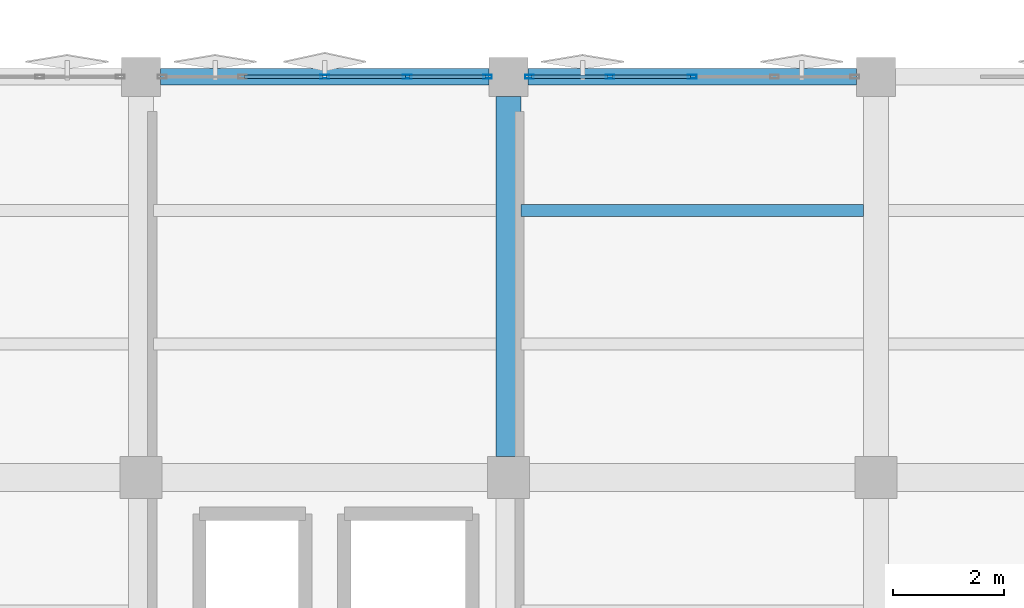
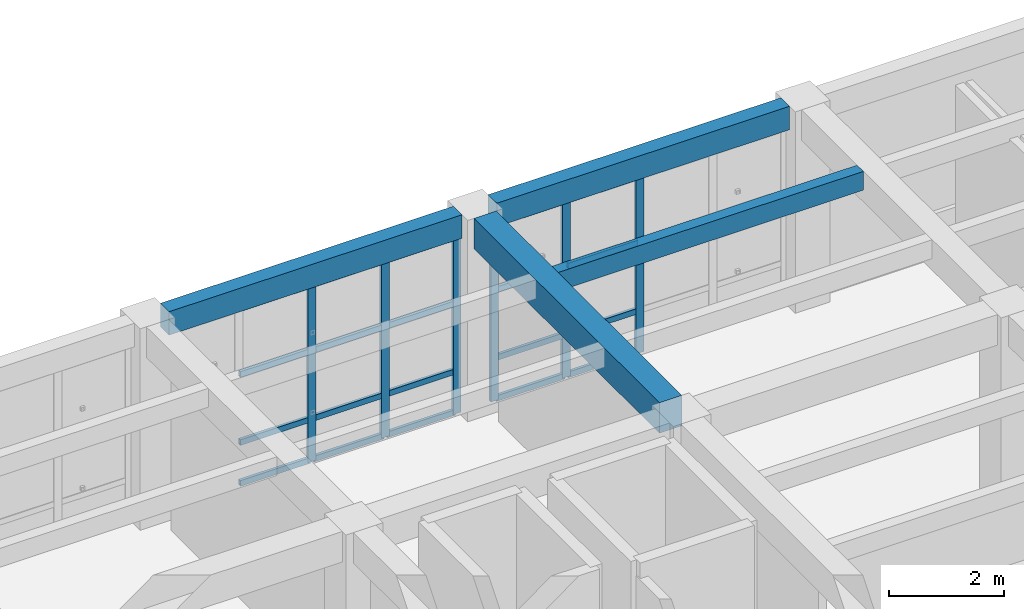
# One storey, part 48 of 80: 26 members, 4 beams, 2 elements without a shape of their own.
"""IFC4 building model written with IfcOpenShell, lengths in metres."""

from ifc_helpers import new_model, si_unit, direction, frame, origin, origin_2d, place, context, subcontext, project, spatial, rectangle, hollow_rectangle, extrude, material, layer, layer_set, material_profile, profile_set, type_object, element, aggregate, save


model = new_model("IFC4")

# Units and contexts
model_context = context("Model", 3, precision=1e-05, world=origin(), true_north=direction((0.0, 1.0)))
body_context = subcontext(model_context, "Body", "Model", "MODEL_VIEW")
ifc_project = project(units=[si_unit("LENGTHUNIT", "METRE"), si_unit("AREAUNIT", "SQUARE_METRE"), si_unit("VOLUMEUNIT", "CUBIC_METRE"), si_unit("PLANEANGLEUNIT", "RADIAN"), si_unit("MASSUNIT", "GRAM", prefix="KILO")], contexts=[model_context])

# Site, building, storey
site_placement = place(None, origin())
site = spatial("IfcSite", under=ifc_project, at=site_placement, CompositionType="ELEMENT")
building_placement = place(site_placement, origin())
building = spatial("IfcBuilding", under=site, at=building_placement, Name="Kharisveld Research Institute", CompositionType="ELEMENT")
storey_placement = place(building_placement, frame((0.0, 0.0, 5.10009765625)))
storey = spatial("IfcBuildingStorey", under=building, at=storey_placement, Name="L01", CompositionType="ELEMENT", Elevation=5.10009765625)

# Beam
ifc_material_1 = material(Name="Concrete C40/50", Category="concrete")
ifc_material_profile_1 = material_profile(ifc_material_1, rectangle(XDim=0.449951171875, YDim=0.64990234375, at=origin_2d()))
ifc_profile_set_1 = profile_set([ifc_material_profile_1], Name="Concrete C40/50")
beam_type_1 = type_object("IfcBeamType", Name="BM_RC_450x650", PredefinedType="BEAM", material=ifc_profile_set_1)
beam_1_placement = place(storey_placement, frame((141.0, 53.97509765625, 3.96484375), z_axis=(0.0, 1.0, 0.0), x_axis=(-1.0, 0.0, 0.0)))
element("IfcBeam", 1, at=beam_1_placement, inside=storey, type_object=beam_type_1, Name="BM:V2:L01:V4_2", PredefinedType="BEAM", context=body_context, shape_type="SweptSolid", body=[
    extrude(rectangle(XDim=0.449951171875, YDim=0.64990234375, at=origin_2d()), origin(), (0.0, 0.0, 1.0), 6.474853515625),
])

# Curtain wall, members
ifc_material_2 = material(Name="Thermally Broken Aluminium Curtain Wall", Category="aluminium")
ifc_layer_1 = layer(ifc_material_2, 0.159912109375)
ifc_layer_set_1 = layer_set([ifc_layer_1], Name="CW_SYS_03")
curtain_wall_type_1 = type_object("IfcCurtainWallType", Name="CW_SYS_03", PredefinedType="NOTDEFINED", material=ifc_layer_set_1)
curtain_wall_1_placement = place(storey_placement, origin())
curtain_wall_1 = element("IfcCurtainWall", 2, at=curtain_wall_1_placement, inside=storey, type_object=curtain_wall_type_1, Name="CW:V2:L01:N3", PredefinedType="NOTDEFINED")
ifc_material_3 = material(Name="Anodised Aluminium AW-6063-T6", Category="aluminium")
ifc_material_profile_2 = material_profile(ifc_material_3, hollow_rectangle(XDim=0.06494140625, YDim=0.159912109375, WallThickness=0.00390625, at=origin_2d()))
ifc_profile_set_2 = profile_set([ifc_material_profile_2], Name="Anodised Aluminium AW-6063-T6")
member_type_1 = type_object("IfcMemberType", Name="CW_MUL_160", PredefinedType="MULLION", material=ifc_profile_set_2)
member_1_placement = place(storey_placement, frame((137.699951171875, 60.800048828125, 0.0), z_axis=(0.0, 0.0, 1.0), x_axis=(0.0, 1.0, 0.0)))
member_1 = element("IfcMember", 3, at=member_1_placement, type_object=member_type_1, Name="CW-03 mullion 3", PredefinedType="MULLION", context=body_context, shape_type="SweptSolid", body=[
    extrude(hollow_rectangle(XDim=0.06494140625, YDim=0.159912109375, WallThickness=0.00390625, at=origin_2d()), origin(), (0.0, 0.0, 1.0), 3.77978515625),
])
member_2_placement = place(storey_placement, frame((139.177490234375, 60.800048828125, 0.0), z_axis=(0.0, 0.0, 1.0), x_axis=(0.0, 1.0, 0.0)))
member_2 = element("IfcMember", 4, at=member_2_placement, type_object=member_type_1, Name="CW-03 mullion 4", PredefinedType="MULLION", context=body_context, shape_type="SweptSolid", body=[
    extrude(hollow_rectangle(XDim=0.06494140625, YDim=0.159912109375, WallThickness=0.00390625, at=origin_2d()), origin(), (0.0, 0.0, 1.0), 3.77978515625),
])
member_3_placement = place(storey_placement, frame((140.62255859375, 60.800048828125, 0.0), z_axis=(0.0, 0.0, 1.0), x_axis=(0.0, 1.0, 0.0)))
member_3 = element("IfcMember", 5, at=member_3_placement, type_object=member_type_1, Name="CW-03 mullion 5", PredefinedType="MULLION", context=body_context, shape_type="SweptSolid", body=[
    extrude(hollow_rectangle(XDim=0.06494140625, YDim=0.159912109375, WallThickness=0.00390625, at=origin_2d()), origin(), (0.0, 0.0, 1.0), 3.77978515625),
])

ifc_material_4 = material(Name="Thermally Broken Aluminium Curtain Wall", Category="aluminium")
ifc_layer_2 = layer(ifc_material_4, 0.159912109375)
ifc_layer_set_2 = layer_set([ifc_layer_2], Name="CW_SYS_04")
curtain_wall_type_2 = type_object("IfcCurtainWallType", Name="CW_SYS_04", PredefinedType="NOTDEFINED", material=ifc_layer_set_2)
curtain_wall_2_placement = place(storey_placement, origin())
curtain_wall_2 = element("IfcCurtainWall", 6, at=curtain_wall_2_placement, inside=storey, type_object=curtain_wall_type_2, Name="CW:V2:L01:N4", PredefinedType="NOTDEFINED")
member_4_placement = place(storey_placement, frame((141.37744140625, 60.800048828125, 0.0), z_axis=(0.0, 0.0, 1.0), x_axis=(0.0, 1.0, 0.0)))
member_4 = element("IfcMember", 7, at=member_4_placement, type_object=member_type_1, Name="CW-04 mullion 1", PredefinedType="MULLION", context=body_context, shape_type="SweptSolid", body=[
    extrude(hollow_rectangle(XDim=0.06494140625, YDim=0.159912109375, WallThickness=0.00390625, at=origin_2d()), origin(), (0.0, 0.0, 1.0), 3.77978515625),
])
member_5_placement = place(storey_placement, frame((142.822509765625, 60.800048828125, 0.0), z_axis=(0.0, 0.0, 1.0), x_axis=(0.0, 1.0, 0.0)))
member_5 = element("IfcMember", 8, at=member_5_placement, type_object=member_type_1, Name="CW-04 mullion 2", PredefinedType="MULLION", context=body_context, shape_type="SweptSolid", body=[
    extrude(hollow_rectangle(XDim=0.06494140625, YDim=0.159912109375, WallThickness=0.00390625, at=origin_2d()), origin(), (0.0, 0.0, 1.0), 3.77978515625),
])
member_6_placement = place(storey_placement, frame((144.300048828125, 60.800048828125, 0.0), z_axis=(0.0, 0.0, 1.0), x_axis=(0.0, 1.0, 0.0)))
member_6 = element("IfcMember", 9, at=member_6_placement, type_object=member_type_1, Name="CW-04 mullion 3", PredefinedType="MULLION", context=body_context, shape_type="SweptSolid", body=[
    extrude(hollow_rectangle(XDim=0.06494140625, YDim=0.159912109375, WallThickness=0.00390625, at=origin_2d()), origin(), (0.0, 0.0, 1.0), 3.77978515625),
])

# Member
ifc_material_5 = material(Name="Anodised Aluminium AW-6063-T6", Category="aluminium")
ifc_material_profile_3 = material_profile(ifc_material_5, hollow_rectangle(XDim=0.06005859375, YDim=0.1201171875, WallThickness=0.00390625, at=origin_2d()))
ifc_profile_set_3 = profile_set([ifc_material_profile_3], Name="Anodised Aluminium AW-6063-T6")
member_type_2 = type_object("IfcMemberType", Name="CW_TRN_120", PredefinedType="USERDEFINED", material=ifc_profile_set_3)
member_7_placement = place(storey_placement, frame((136.2548828125, 60.800048828125, 0.02978515625), z_axis=(1.0, 0.0, 0.0), x_axis=(0.0, 1.0, 0.0)))
member_7 = element("IfcMember", 10, at=member_7_placement, type_object=member_type_2, Name="CW-03 transom 2.1", ObjectType="TRANSOM", PredefinedType="USERDEFINED", context=body_context, shape_type="SweptSolid", body=[
    extrude(hollow_rectangle(XDim=0.06005859375, YDim=0.1201171875, WallThickness=0.00390625, at=origin_2d()), origin(), (0.0, 0.0, 1.0), 1.41259765625),
])

member_8_placement = place(storey_placement, frame((136.2548828125, 60.800048828125, 0.89990234375), z_axis=(1.0, 0.0, 0.0), x_axis=(0.0, 1.0, 0.0)))
member_8 = element("IfcMember", 11, at=member_8_placement, type_object=member_type_2, Name="CW-03 transom 2.2", ObjectType="TRANSOM", PredefinedType="USERDEFINED", context=body_context, shape_type="SweptSolid", body=[
    extrude(hollow_rectangle(XDim=0.06005859375, YDim=0.1201171875, WallThickness=0.00390625, at=origin_2d()), origin(), (0.0, 0.0, 1.0), 1.41259765625),
])

member_9_placement = place(storey_placement, frame((136.2548828125, 60.800048828125, 2.349853515625), z_axis=(1.0, 0.0, 0.0), x_axis=(0.0, 1.0, 0.0)))
member_9 = element("IfcMember", 12, at=member_9_placement, type_object=member_type_2, Name="CW-03 transom 2.3", ObjectType="TRANSOM", PredefinedType="USERDEFINED", context=body_context, shape_type="SweptSolid", body=[
    extrude(hollow_rectangle(XDim=0.06005859375, YDim=0.1201171875, WallThickness=0.00390625, at=origin_2d()), origin(), (0.0, 0.0, 1.0), 1.41259765625),
])

member_10_placement = place(storey_placement, frame((136.2548828125, 60.800048828125, 3.75), z_axis=(1.0, 0.0, 0.0), x_axis=(0.0, 1.0, 0.0)))
member_10 = element("IfcMember", 13, at=member_10_placement, type_object=member_type_2, Name="CW-03 transom 2.4", ObjectType="TRANSOM", PredefinedType="USERDEFINED", context=body_context, shape_type="SweptSolid", body=[
    extrude(hollow_rectangle(XDim=0.06005859375, YDim=0.1201171875, WallThickness=0.00390625, at=origin_2d()), origin(), (0.0, 0.0, 1.0), 1.41259765625),
])

member_11_placement = place(storey_placement, frame((137.732421875, 60.800048828125, 0.02978515625), z_axis=(1.0, 0.0, 0.0), x_axis=(0.0, 1.0, 0.0)))
member_11 = element("IfcMember", 14, at=member_11_placement, type_object=member_type_2, Name="CW-03 transom 3.1", ObjectType="TRANSOM", PredefinedType="USERDEFINED", context=body_context, shape_type="SweptSolid", body=[
    extrude(hollow_rectangle(XDim=0.06005859375, YDim=0.1201171875, WallThickness=0.00390625, at=origin_2d()), origin(), (0.0, 0.0, 1.0), 1.41259765625),
])

member_12_placement = place(storey_placement, frame((137.732421875, 60.800048828125, 0.89990234375), z_axis=(1.0, 0.0, 0.0), x_axis=(0.0, 1.0, 0.0)))
member_12 = element("IfcMember", 15, at=member_12_placement, type_object=member_type_2, Name="CW-03 transom 3.2", ObjectType="TRANSOM", PredefinedType="USERDEFINED", context=body_context, shape_type="SweptSolid", body=[
    extrude(hollow_rectangle(XDim=0.06005859375, YDim=0.1201171875, WallThickness=0.00390625, at=origin_2d()), origin(), (0.0, 0.0, 1.0), 1.41259765625),
])

member_13_placement = place(storey_placement, frame((137.732421875, 60.800048828125, 2.349853515625), z_axis=(1.0, 0.0, 0.0), x_axis=(0.0, 1.0, 0.0)))
member_13 = element("IfcMember", 16, at=member_13_placement, type_object=member_type_2, Name="CW-03 transom 3.3", ObjectType="TRANSOM", PredefinedType="USERDEFINED", context=body_context, shape_type="SweptSolid", body=[
    extrude(hollow_rectangle(XDim=0.06005859375, YDim=0.1201171875, WallThickness=0.00390625, at=origin_2d()), origin(), (0.0, 0.0, 1.0), 1.41259765625),
])

member_14_placement = place(storey_placement, frame((137.732421875, 60.800048828125, 3.75), z_axis=(1.0, 0.0, 0.0), x_axis=(0.0, 1.0, 0.0)))
member_14 = element("IfcMember", 17, at=member_14_placement, type_object=member_type_2, Name="CW-03 transom 3.4", ObjectType="TRANSOM", PredefinedType="USERDEFINED", context=body_context, shape_type="SweptSolid", body=[
    extrude(hollow_rectangle(XDim=0.06005859375, YDim=0.1201171875, WallThickness=0.00390625, at=origin_2d()), origin(), (0.0, 0.0, 1.0), 1.41259765625),
])

member_15_placement = place(storey_placement, frame((139.2099609375, 60.800048828125, 0.02978515625), z_axis=(1.0, 0.0, 0.0), x_axis=(0.0, 1.0, 0.0)))
member_15 = element("IfcMember", 18, at=member_15_placement, type_object=member_type_2, Name="CW-03 transom 4.1", ObjectType="TRANSOM", PredefinedType="USERDEFINED", context=body_context, shape_type="SweptSolid", body=[
    extrude(hollow_rectangle(XDim=0.06005859375, YDim=0.1201171875, WallThickness=0.00390625, at=origin_2d()), origin(), (0.0, 0.0, 1.0), 1.380126953125),
])

member_16_placement = place(storey_placement, frame((139.2099609375, 60.800048828125, 0.89990234375), z_axis=(1.0, 0.0, 0.0), x_axis=(0.0, 1.0, 0.0)))
member_16 = element("IfcMember", 19, at=member_16_placement, type_object=member_type_2, Name="CW-03 transom 4.2", ObjectType="TRANSOM", PredefinedType="USERDEFINED", context=body_context, shape_type="SweptSolid", body=[
    extrude(hollow_rectangle(XDim=0.06005859375, YDim=0.1201171875, WallThickness=0.00390625, at=origin_2d()), origin(), (0.0, 0.0, 1.0), 1.380126953125),
])

member_17_placement = place(storey_placement, frame((139.2099609375, 60.800048828125, 2.349853515625), z_axis=(1.0, 0.0, 0.0), x_axis=(0.0, 1.0, 0.0)))
member_17 = element("IfcMember", 20, at=member_17_placement, type_object=member_type_2, Name="CW-03 transom 4.3", ObjectType="TRANSOM", PredefinedType="USERDEFINED", context=body_context, shape_type="SweptSolid", body=[
    extrude(hollow_rectangle(XDim=0.06005859375, YDim=0.1201171875, WallThickness=0.00390625, at=origin_2d()), origin(), (0.0, 0.0, 1.0), 1.380126953125),
])

member_18_placement = place(storey_placement, frame((139.2099609375, 60.800048828125, 3.75), z_axis=(1.0, 0.0, 0.0), x_axis=(0.0, 1.0, 0.0)))
member_18 = element("IfcMember", 21, at=member_18_placement, type_object=member_type_2, Name="CW-03 transom 4.4", ObjectType="TRANSOM", PredefinedType="USERDEFINED", context=body_context, shape_type="SweptSolid", body=[
    extrude(hollow_rectangle(XDim=0.06005859375, YDim=0.1201171875, WallThickness=0.00390625, at=origin_2d()), origin(), (0.0, 0.0, 1.0), 1.380126953125),
])

aggregate(curtain_wall_1, [member_1, member_2, member_3, member_7, member_8, member_9, member_10, member_11, member_12, member_13, member_14, member_15, member_16, member_17, member_18])

member_19_placement = place(storey_placement, frame((141.409912109375, 60.800048828125, 0.02978515625), z_axis=(1.0, 0.0, 0.0), x_axis=(0.0, 1.0, 0.0)))
member_19 = element("IfcMember", 22, at=member_19_placement, type_object=member_type_2, Name="CW-04 transom 1.1", ObjectType="TRANSOM", PredefinedType="USERDEFINED", context=body_context, shape_type="SweptSolid", body=[
    extrude(hollow_rectangle(XDim=0.06005859375, YDim=0.1201171875, WallThickness=0.00390625, at=origin_2d()), origin(), (0.0, 0.0, 1.0), 1.380126953125),
])

member_20_placement = place(storey_placement, frame((141.409912109375, 60.800048828125, 0.89990234375), z_axis=(1.0, 0.0, 0.0), x_axis=(0.0, 1.0, 0.0)))
member_20 = element("IfcMember", 23, at=member_20_placement, type_object=member_type_2, Name="CW-04 transom 1.2", ObjectType="TRANSOM", PredefinedType="USERDEFINED", context=body_context, shape_type="SweptSolid", body=[
    extrude(hollow_rectangle(XDim=0.06005859375, YDim=0.1201171875, WallThickness=0.00390625, at=origin_2d()), origin(), (0.0, 0.0, 1.0), 1.380126953125),
])

member_21_placement = place(storey_placement, frame((141.409912109375, 60.800048828125, 2.349853515625), z_axis=(1.0, 0.0, 0.0), x_axis=(0.0, 1.0, 0.0)))
member_21 = element("IfcMember", 24, at=member_21_placement, type_object=member_type_2, Name="CW-04 transom 1.3", ObjectType="TRANSOM", PredefinedType="USERDEFINED", context=body_context, shape_type="SweptSolid", body=[
    extrude(hollow_rectangle(XDim=0.06005859375, YDim=0.1201171875, WallThickness=0.00390625, at=origin_2d()), origin(), (0.0, 0.0, 1.0), 1.380126953125),
])

member_22_placement = place(storey_placement, frame((141.409912109375, 60.800048828125, 3.75), z_axis=(1.0, 0.0, 0.0), x_axis=(0.0, 1.0, 0.0)))
member_22 = element("IfcMember", 25, at=member_22_placement, type_object=member_type_2, Name="CW-04 transom 1.4", ObjectType="TRANSOM", PredefinedType="USERDEFINED", context=body_context, shape_type="SweptSolid", body=[
    extrude(hollow_rectangle(XDim=0.06005859375, YDim=0.1201171875, WallThickness=0.00390625, at=origin_2d()), origin(), (0.0, 0.0, 1.0), 1.380126953125),
])

member_23_placement = place(storey_placement, frame((142.85498046875, 60.800048828125, 0.02978515625), z_axis=(1.0, 0.0, 0.0), x_axis=(0.0, 1.0, 0.0)))
member_23 = element("IfcMember", 26, at=member_23_placement, type_object=member_type_2, Name="CW-04 transom 2.1", ObjectType="TRANSOM", PredefinedType="USERDEFINED", context=body_context, shape_type="SweptSolid", body=[
    extrude(hollow_rectangle(XDim=0.06005859375, YDim=0.1201171875, WallThickness=0.00390625, at=origin_2d()), origin(), (0.0, 0.0, 1.0), 1.41259765625),
])

member_24_placement = place(storey_placement, frame((142.85498046875, 60.800048828125, 0.89990234375), z_axis=(1.0, 0.0, 0.0), x_axis=(0.0, 1.0, 0.0)))
member_24 = element("IfcMember", 27, at=member_24_placement, type_object=member_type_2, Name="CW-04 transom 2.2", ObjectType="TRANSOM", PredefinedType="USERDEFINED", context=body_context, shape_type="SweptSolid", body=[
    extrude(hollow_rectangle(XDim=0.06005859375, YDim=0.1201171875, WallThickness=0.00390625, at=origin_2d()), origin(), (0.0, 0.0, 1.0), 1.41259765625),
])

member_25_placement = place(storey_placement, frame((142.85498046875, 60.800048828125, 2.349853515625), z_axis=(1.0, 0.0, 0.0), x_axis=(0.0, 1.0, 0.0)))
member_25 = element("IfcMember", 28, at=member_25_placement, type_object=member_type_2, Name="CW-04 transom 2.3", ObjectType="TRANSOM", PredefinedType="USERDEFINED", context=body_context, shape_type="SweptSolid", body=[
    extrude(hollow_rectangle(XDim=0.06005859375, YDim=0.1201171875, WallThickness=0.00390625, at=origin_2d()), origin(), (0.0, 0.0, 1.0), 1.41259765625),
])

member_26_placement = place(storey_placement, frame((142.85498046875, 60.800048828125, 3.75), z_axis=(1.0, 0.0, 0.0), x_axis=(0.0, 1.0, 0.0)))
member_26 = element("IfcMember", 29, at=member_26_placement, type_object=member_type_2, Name="CW-04 transom 2.4", ObjectType="TRANSOM", PredefinedType="USERDEFINED", context=body_context, shape_type="SweptSolid", body=[
    extrude(hollow_rectangle(XDim=0.06005859375, YDim=0.1201171875, WallThickness=0.00390625, at=origin_2d()), origin(), (0.0, 0.0, 1.0), 1.41259765625),
])

aggregate(curtain_wall_2, [member_4, member_5, member_6, member_19, member_20, member_21, member_22, member_23, member_24, member_25, member_26])

# Beams
ifc_material_6 = material(Name="Concrete C40/50", Category="concrete")
ifc_material_profile_4 = material_profile(ifc_material_6, rectangle(XDim=0.300048828125, YDim=0.5, at=origin_2d()))
ifc_profile_set_4 = profile_set([ifc_material_profile_4], Name="Concrete C40/50")
beam_type_2 = type_object("IfcBeamType", Name="SP_RC_300x500", PredefinedType="SPANDREL", material=ifc_profile_set_4)
for number, where, z_axis, x_axis, name in (
    (30, (134.75, 60.800048828125, 4.039794921875), (1.0, 0.0, 0.0), (0.0, 1.0, 0.0), "BM:V2:L01:U3_3"),
    (31, (141.35009765625, 60.800048828125, 4.039794921875), (1.0, 0.0, 0.0), (0.0, 1.0, 0.0), "BM:V2:L01:U4_3"),
):
    element("IfcBeam", number, at=place(storey_placement, frame(where, z_axis=z_axis, x_axis=x_axis)), inside=storey, type_object=beam_type_2, Name=name, PredefinedType="SPANDREL", context=body_context, shape_type="SweptSolid", body=[
        extrude(rectangle(XDim=0.300048828125, YDim=0.5, at=origin_2d()), origin(), (0.0, 0.0, 1.0), 5.89990234375),
    ])
ifc_material_7 = material(Name="Concrete C40/50", Category="concrete")
ifc_material_profile_5 = material_profile(ifc_material_7, rectangle(XDim=0.219970703125, YDim=0.39990234375, at=origin_2d()))
ifc_profile_set_5 = profile_set([ifc_material_profile_5], Name="Concrete C40/50")
beam_type_3 = type_object("IfcBeamType", Name="WB_RC_220x400", PredefinedType="JOIST", material=ifc_profile_set_5)
beam_2_placement = place(storey_placement, frame((141.22509765625, 58.39990234375, 4.08984375), z_axis=(1.0, 0.0, 0.0), x_axis=(0.0, 1.0, 0.0)))
element("IfcBeam", 32, at=beam_2_placement, inside=storey, type_object=beam_type_3, Name="BM:V2:L01:J_4_2_R2", PredefinedType="JOIST", context=body_context, shape_type="SweptSolid", body=[
    extrude(rectangle(XDim=0.219970703125, YDim=0.39990234375, at=origin_2d()), origin(), (0.0, 0.0, 1.0), 6.14990234375),
])

save(model, "model.ifc")
